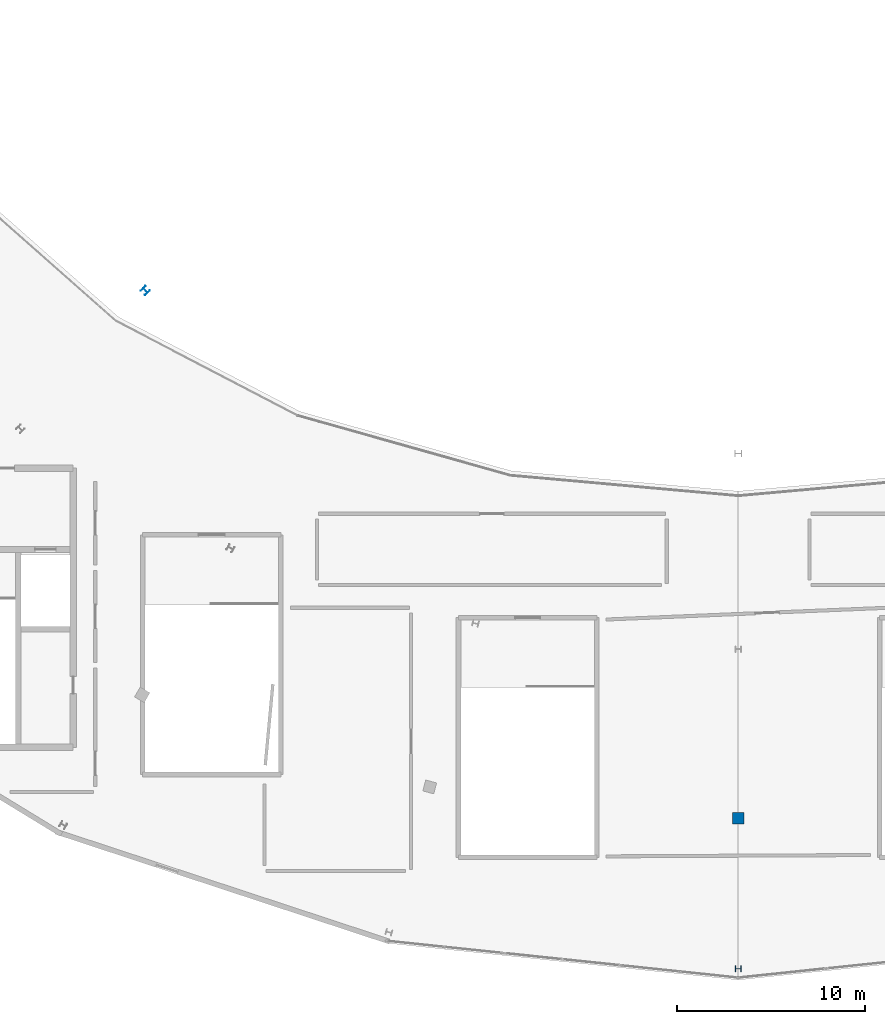
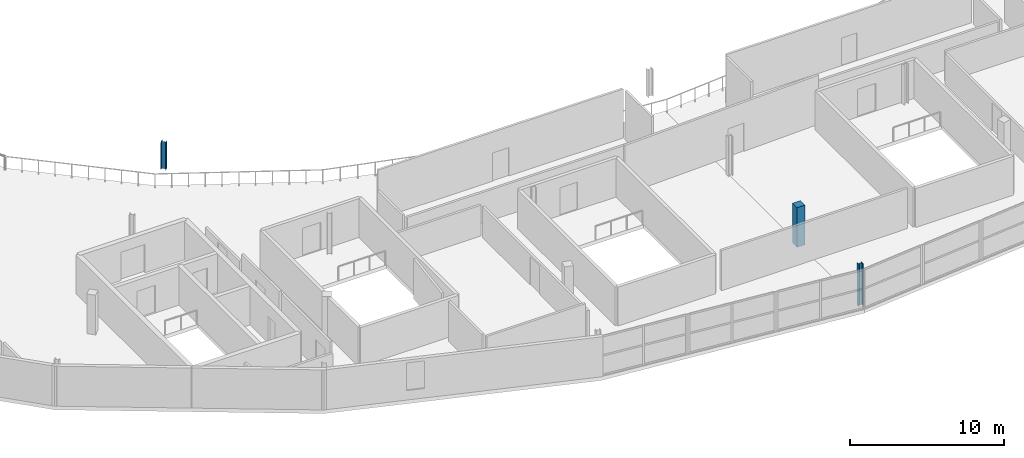
# One storey, part 4 of 35: 3 columns.
"""IFC4 building model written with IfcOpenShell, lengths in metres."""

from ifc_helpers import new_model, si_unit, direction, frame, origin, origin_2d, place, context, subcontext, project, spatial, rectangle, i_section, extrude, material, material_profile, profile_set, type_object, element, save


model = new_model("IFC4")

# Units and contexts
model_context = context("Model", 3, precision=1e-05, world=origin(), true_north=direction((0.0, 1.0)))
body_context = subcontext(model_context, "Body", "Model", "MODEL_VIEW")
ifc_project = project(units=[si_unit("LENGTHUNIT", "METRE"), si_unit("AREAUNIT", "SQUARE_METRE"), si_unit("VOLUMEUNIT", "CUBIC_METRE"), si_unit("PLANEANGLEUNIT", "RADIAN"), si_unit("MASSUNIT", "GRAM", prefix="KILO")], contexts=[model_context])

# Site, building, storey
site_placement = place(None, origin())
site = spatial("IfcSite", under=ifc_project, at=site_placement, CompositionType="ELEMENT")
building_placement = place(site_placement, origin())
building = spatial("IfcBuilding", under=site, at=building_placement, Name="Kalgoora Escarpment Arena", CompositionType="ELEMENT")
storey_placement = place(building_placement, frame((0.0, 0.0, 23.39990234375)))
storey = spatial("IfcBuildingStorey", under=building, at=storey_placement, Name="L05", CompositionType="ELEMENT", Elevation=23.39990234375)

# Columns
ifc_material_1 = material(Name="Structural steel AS/NZS 3679 (300 MPa)", Category="steel")
ifc_material_profile_1 = material_profile(ifc_material_1, i_section(OverallWidth=0.30908203125, OverallDepth=0.321044921875, WebThickness=0.013916015625, FlangeThickness=0.021728515625, at=origin_2d()))
ifc_profile_set_1 = profile_set([ifc_material_profile_1], Name="Structural steel AS/NZS 3679 (300 MPa)")
column_type_1 = type_object("IfcColumnType", Name="COL-COL-310UC137", PredefinedType="COLUMN", material=ifc_profile_set_1)
column_1_placement = place(storey_placement, frame((92.39990234375, 7.0, 0.0), z_axis=(0.0, 0.0, 1.0), x_axis=(0.0, -1.0, 0.0)))
element("IfcColumn", 1, at=column_1_placement, inside=storey, type_object=column_type_1, Name="L05 structural column COL-RCONC2-R19", PredefinedType="COLUMN", context=body_context, shape_type="SweptSolid", body=[
    extrude(i_section(OverallWidth=0.30908203125, OverallDepth=0.321044921875, WebThickness=0.013916015625, FlangeThickness=0.021728515625, at=origin_2d()), origin(), (0.0, 0.0, 1.0), 3.320068359375),
])
ifc_material_2 = material(Name="Structural steel Grade 350 (350 MPa)", Category="steel")
ifc_material_profile_2 = material_profile(ifc_material_2, i_section(OverallWidth=0.35009765625, OverallDepth=0.35009765625, WebThickness=0.013916015625, FlangeThickness=0.02392578125, at=origin_2d()))
ifc_profile_set_2 = profile_set([ifc_material_profile_2], Name="Structural steel Grade 350 (350 MPa)")
column_type_2 = type_object("IfcColumnType", Name="COL-COL-350WC197", PredefinedType="COLUMN", material=ifc_profile_set_2)
column_2_placement = place(storey_placement, frame((60.863037109375, 43.069580078125, 0.0), z_axis=(0.0, 0.0, 1.0), x_axis=(-0.707106781187, -0.707106781187, 0.0)))
element("IfcColumn", 2, at=column_2_placement, inside=storey, type_object=column_type_2, Name="L05 structural column COL-TSPINE-S06", PredefinedType="COLUMN", context=body_context, shape_type="SweptSolid", body=[
    extrude(i_section(OverallWidth=0.35009765625, OverallDepth=0.35009765625, WebThickness=0.013916015625, FlangeThickness=0.02392578125, at=origin_2d()), origin(), (0.0, 0.0, 1.0), 2.150146484375),
])
ifc_material_3 = material(Name="Concrete N50 (fc' 50 MPa)", Category="concrete")
ifc_material_profile_3 = material_profile(ifc_material_3, rectangle(XDim=0.60009765625, YDim=0.60009765625, at=origin_2d()))
ifc_profile_set_3 = profile_set([ifc_material_profile_3], Name="Concrete N50 (fc' 50 MPa)")
column_type_3 = type_object("IfcColumnType", Name="COL-COL-RC600x600", PredefinedType="COLUMN", material=ifc_profile_set_3)
column_3_placement = place(storey_placement, frame((92.39990234375, 15.0, 0.0), z_axis=(0.0, 0.0, 1.0), x_axis=(0.0, -1.0, 0.0)))
element("IfcColumn", 3, at=column_3_placement, inside=storey, type_object=column_type_3, Name="L05 structural column COL-RCONC1-R19", PredefinedType="COLUMN", context=body_context, shape_type="SweptSolid", body=[
    extrude(rectangle(XDim=0.60009765625, YDim=0.60009765625, at=origin_2d()), origin(), (0.0, 0.0, 1.0), 3.150146484375),
])

save(model, "model.ifc")
